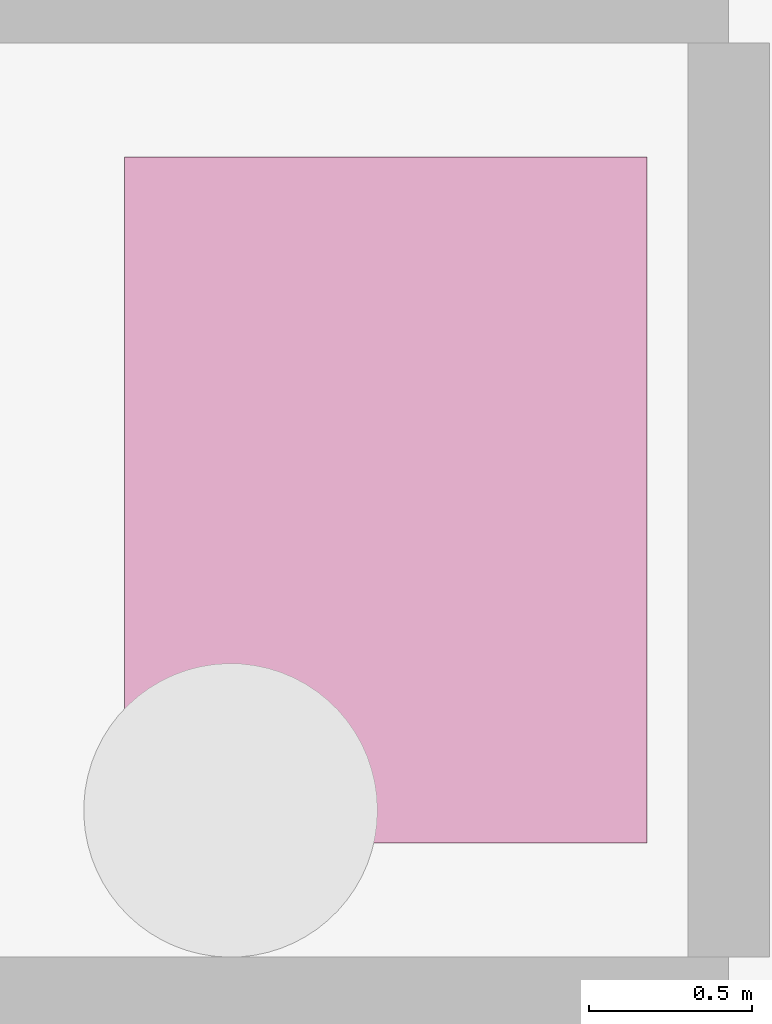
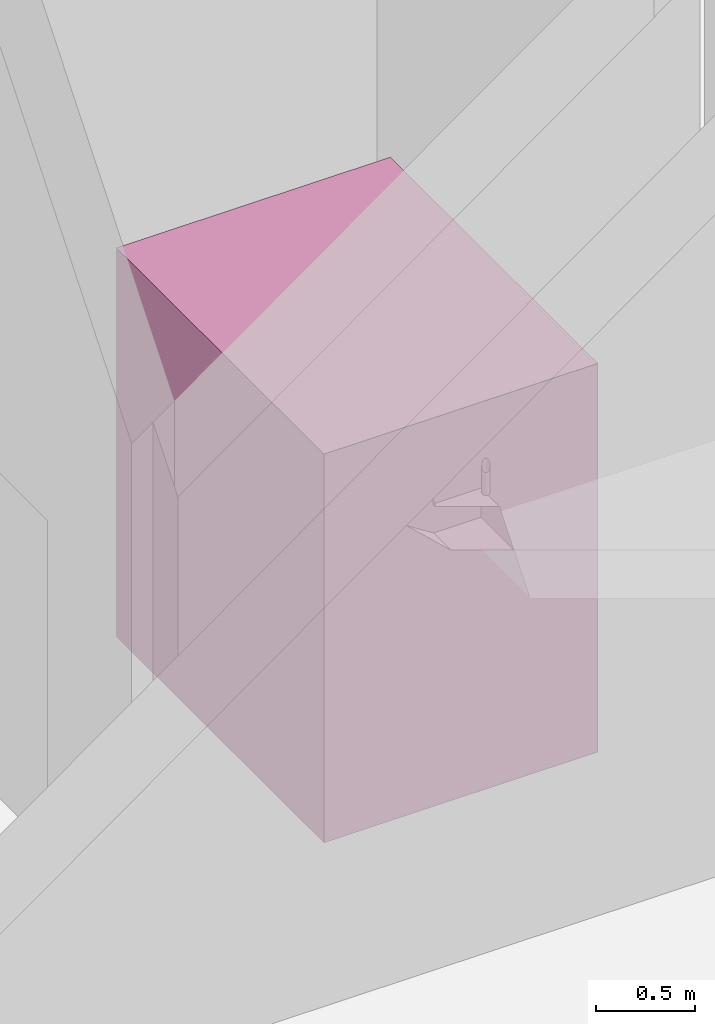
# One storey, part 188 of 188: 1 transport element.
"""IFC4 building model written with IfcOpenShell, lengths in metres."""

from ifc_helpers import new_model, si_unit, direction, frame, origin, origin_2d, place, context, subcontext, project, spatial, rectangle, extrude, material, type_object, element, save


model = new_model("IFC4")

# Units and contexts
model_context = context("Model", 3, precision=1e-05, world=origin(), true_north=direction((0.0, 1.0)))
body_context = subcontext(model_context, "Body", "Model", "MODEL_VIEW")
ifc_project = project(units=[si_unit("LENGTHUNIT", "METRE"), si_unit("AREAUNIT", "SQUARE_METRE"), si_unit("VOLUMEUNIT", "CUBIC_METRE"), si_unit("PLANEANGLEUNIT", "RADIAN"), si_unit("MASSUNIT", "GRAM", prefix="KILO")], contexts=[model_context])

# Site, building, storey
site_placement = place(None, origin())
site = spatial("IfcSite", under=ifc_project, at=site_placement, CompositionType="ELEMENT")
building_placement = place(site_placement, origin())
building = spatial("IfcBuilding", under=site, at=building_placement, Name="Pandanus Reach Market Hall", CompositionType="ELEMENT")
storey_placement = place(building_placement, origin())
storey = spatial("IfcBuildingStorey", under=building, at=storey_placement, Name="L00", CompositionType="ELEMENT", Elevation=0.0)

# Transport element
ifc_material = material(Name="Brushed stainless steel", Category="steel")
transport_element_type = type_object("IfcTransportElementType", Name="LFT-PS-16", PredefinedType="ELEVATOR", material=ifc_material)
transport_element_placement = place(storey_placement, frame((8.074951171875, 16.60009765625, 0.0), z_axis=(0.0, 0.0, 1.0), x_axis=(1.0, 0.0, 0.0)))
element("IfcTransportElement", 1, at=transport_element_placement, inside=storey, type_object=transport_element_type, Name="Passenger/goods lift LF-04", PredefinedType="ELEVATOR", context=body_context, shape_type="SweptSolid", body=[
    extrude(rectangle(XDim=1.60009765625, YDim=2.10009765625, at=origin_2d()), origin(), (0.0, 0.0, 1.0), 2.39990234375),
])

save(model, "model.ifc")
